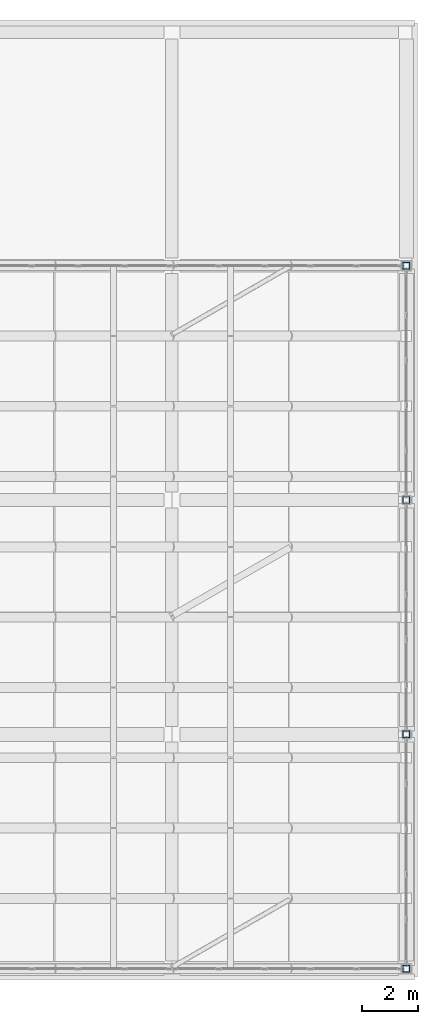
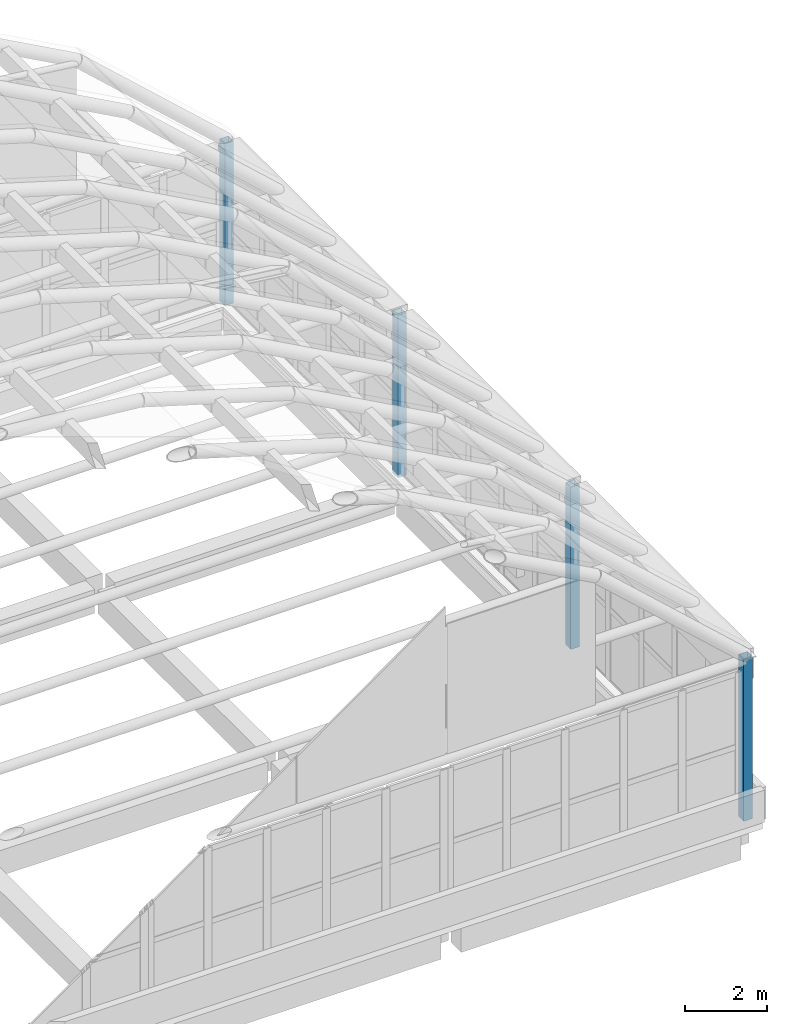
# One storey, part 2 of 26: 4 columns.
"""IFC4 building model written with IfcOpenShell, lengths in metres."""

import ifcopenshell
import ifcopenshell.guid

model = None  # the IFC model being written
_history = None  # IfcOwnerHistory: only IFC2X3 demands one
_inside = {}  # id of a spatial element -> (the spatial element, [elements in it])
_under = {}  # id of a project, library or spatial element -> (it, [spatial elements below it])
_declared = {}  # id of a project -> (the project, [libraries it declares])
_typed = {}  # id of a type object -> (the type object, [elements of that type])
_made_of = {}  # id of a material, layer set ... -> (it, [elements and type objects made of it])


def new_model(schema):
    """Start an empty IFC model of exactly this schema.

    Asked for "IFC4X3", IfcOpenShell would pick the latest addendum, in which some entities
    have other attributes; the version numbers below select the first issue.
    IFC2X3 requires an IfcOwnerHistory on every rooted entity: one is made here for all.
    """
    global model, _history
    if schema == "IFC4X3":
        model = ifcopenshell.file(schema_version=(4, 3, 0, 0))
    else:
        model = ifcopenshell.file(schema=schema)
    _inside.clear()
    _under.clear()
    _declared.clear()
    _typed.clear()
    _made_of.clear()
    _history = None
    if model.schema == "IFC2X3":
        org = make("IfcOrganization", Name="unknown")
        user = make(
            "IfcPersonAndOrganization",
            ThePerson=make("IfcPerson", FamilyName="unknown"),
            TheOrganization=org,
        )
        app = make(
            "IfcApplication",
            ApplicationDeveloper=org,
            Version="unknown",
            ApplicationFullName="unknown",
            ApplicationIdentifier="unknown",
        )
        _history = make(
            "IfcOwnerHistory",
            OwningUser=user,
            OwningApplication=app,
            ChangeAction="ADDED",
            CreationDate=0,
        )
    return model


def make(cls, **values):
    """One entity of the class cls with the attributes given. An attribute that is None is left unset."""
    return model.create_entity(
        cls, **{name: value for name, value in values.items() if value is not None}
    )


def rooted(cls, **values):
    """An entity with a GlobalId (a new one), such as an element, a storey or a relation."""
    return make(cls, GlobalId=ifcopenshell.guid.new(), OwnerHistory=_history, **values)


def si_unit(unit_type, name, prefix=None):
    """IfcSIUnit, for example si_unit("LENGTHUNIT", "METRE", prefix="MILLI")."""
    return make("IfcSIUnit", UnitType=unit_type, Prefix=prefix, Name=name)


def assignment(units):
    """IfcUnitAssignment: the units of a project."""
    return None if units is None else make("IfcUnitAssignment", Units=units)


def point(xyz):
    """IfcCartesianPoint."""
    return None if xyz is None else make("IfcCartesianPoint", Coordinates=xyz)


def direction(xyz):
    """IfcDirection."""
    return None if xyz is None else make("IfcDirection", DirectionRatios=xyz)


def frame(location, z_axis=None, x_axis=None):
    """IfcAxis2Placement3D, a coordinate frame: its origin and axes. An axis left out is left unset."""
    return make(
        "IfcAxis2Placement3D",
        Location=point(location),
        Axis=direction(z_axis),
        RefDirection=direction(x_axis),
    )


def frame_2d(location, x_axis=None):
    """IfcAxis2Placement2D, a coordinate frame in the plane: its origin and x axis."""
    return make(
        "IfcAxis2Placement2D", Location=point(location), RefDirection=direction(x_axis)
    )


def origin():
    """The frame at (0, 0, 0) with its axes left unset."""
    return frame((0.0, 0.0, 0.0))


def origin_2d():
    """The frame at (0, 0) in the plane with its x axis left unset."""
    return frame_2d((0.0, 0.0))


def place(relative_to, where):
    """IfcLocalPlacement: puts the frame where relative to a parent placement (None: the world)."""
    return make(
        "IfcLocalPlacement", PlacementRelTo=relative_to, RelativePlacement=where
    )


def context(
    kind, dimensions, precision=None, world=None, true_north=None, identifier=None
):
    """IfcGeometricRepresentationContext, for example the 3D "Model" context."""
    return make(
        "IfcGeometricRepresentationContext",
        ContextIdentifier=identifier,
        ContextType=kind,
        CoordinateSpaceDimension=dimensions,
        Precision=precision,
        WorldCoordinateSystem=world,
        TrueNorth=true_north,
    )


def subcontext(parent, identifier, kind, view, scale=None):
    """IfcGeometricRepresentationSubContext, for example "Body" below "Model"."""
    return make(
        "IfcGeometricRepresentationSubContext",
        ContextIdentifier=identifier,
        ContextType=kind,
        ParentContext=parent,
        TargetScale=scale,
        TargetView=view,
    )


def project(units=None, contexts=None):
    """IfcProject with its units and contexts."""
    return rooted(
        "IfcProject",
        Name="project",
        RepresentationContexts=contexts,
        UnitsInContext=assignment(units),
    )


def spatial(cls, under=None, at=None, **own):
    """A site, building, storey or space (cls), placed at a placement, below another one or the project."""
    s = rooted(cls, ObjectPlacement=at, **own)
    if under is not None:
        _under.setdefault(under.id(), (under, []))[1].append(s)
    return s


def profile(cls, at=None, kind="AREA", **sizes):
    """A parametric profile (cls). Its sizes go by their IFC names, for example OverallWidth=200.0."""
    return make(cls, ProfileType=kind, Position=at, **sizes)


def hollow_rectangle(**sizes):
    """IfcRectangleHollowProfileDef."""
    return profile("IfcRectangleHollowProfileDef", **sizes)


def extrude(swept, where, along, depth):
    """IfcExtrudedAreaSolid: the profile swept, set in the frame where, extruded along a direction by depth."""
    return make(
        "IfcExtrudedAreaSolid",
        SweptArea=swept,
        Position=where,
        ExtrudedDirection=direction(along),
        Depth=depth,
    )


def shape(context_of_items, identifier, shape_type, items):
    """IfcShapeRepresentation: the items that make up one representation, for example the "Body"."""
    return make(
        "IfcShapeRepresentation",
        ContextOfItems=context_of_items,
        RepresentationIdentifier=identifier,
        RepresentationType=shape_type,
        Items=items,
    )


def material(Name=None, Category=None):
    """IfcMaterial."""
    return make("IfcMaterial", Name=Name, Category=Category)


def material_profile(
    of_material, cross_section, Name=None, Category=None, Priority=None
):
    """IfcMaterialProfile: a cross section and its material."""
    return make(
        "IfcMaterialProfile",
        Name=Name,
        Material=of_material,
        Profile=cross_section,
        Priority=Priority,
        Category=Category,
    )


def profile_set(profiles, Name=None, composite=None):
    """IfcMaterialProfileSet."""
    return make(
        "IfcMaterialProfileSet",
        Name=Name,
        MaterialProfiles=profiles,
        CompositeProfile=composite,
    )


def made_of(thing, what):
    """Note that an element or type object is made of a material, layer set ...; save() writes the relation."""
    if what is not None:
        _made_of.setdefault(what.id(), (what, []))[1].append(thing)
    return thing


def type_object(cls, material=None, **own):
    """A type object (cls), such as IfcWallType, which elements share."""
    return made_of(rooted(cls, **own), material)


def element(
    cls,
    number,
    at=None,
    inside=None,
    cuts=None,
    type_object=None,
    material=None,
    context=None,
    identifier="Body",
    shape_type=None,
    held_by="IfcProductDefinitionShape",
    body=None,
    shapes=None,
    **own,
):
    """One element of the class cls, such as IfcWall. Its Tag is "e" and its number.

    at: its placement. inside: the storey or other place that contains it. cuts: it is an
    opening in that element (IfcRelVoidsElement). A single representation is given by context,
    identifier, shape_type and body (its items); several are given by shapes. held_by: the class
    of the entity that holds the representations. save() writes the other relations.
    """
    e = rooted(cls, Tag="e%d" % number, ObjectPlacement=at, **own)
    if body is not None:
        shapes = [shape(context, identifier, shape_type, body)]
    if shapes is not None:
        e.Representation = make(held_by, Representations=shapes)
    if inside is not None:
        _inside.setdefault(inside.id(), (inside, []))[1].append(e)
    if cuts is not None:
        rooted(
            "IfcRelVoidsElement", RelatingBuildingElement=cuts, RelatedOpeningElement=e
        )
    if type_object is not None:
        _typed.setdefault(type_object.id(), (type_object, []))[1].append(e)
    return made_of(e, material)


def aggregate(whole, parts):
    """IfcRelAggregates: a whole, such as a stair, and the parts it consists of."""
    return rooted("IfcRelAggregates", RelatingObject=whole, RelatedObjects=parts)


def save(model, path):
    """Write the relations noted so far, then the file.

    IfcRelAggregates (storeys below a building ...), IfcRelContainedInSpatialStructure (elements
    in a storey), IfcRelDefinesByType, IfcRelAssociatesMaterial and IfcRelDeclares: one each for
    every whole, place, type object, material and project.
    """
    for whole, parts in _under.values():
        aggregate(whole, parts)
    for where, things in _inside.values():
        rooted(
            "IfcRelContainedInSpatialStructure",
            RelatedElements=things,
            RelatingStructure=where,
        )
    for kind, things in _typed.values():
        rooted("IfcRelDefinesByType", RelatedObjects=things, RelatingType=kind)
    for what, things in _made_of.values():
        rooted("IfcRelAssociatesMaterial", RelatedObjects=things, RelatingMaterial=what)
    for by, libraries in _declared.values():
        rooted("IfcRelDeclares", RelatingContext=by, RelatedDefinitions=libraries)
    model.write(path)


model = new_model("IFC4")

# Units and contexts
model_context = context("Model", 3, precision=1e-05, world=origin(), true_north=direction((0.0, 1.0)))
body_context = subcontext(model_context, "Body", "Model", "MODEL_VIEW")
ifc_project = project(units=[si_unit("LENGTHUNIT", "METRE"), si_unit("AREAUNIT", "SQUARE_METRE"), si_unit("VOLUMEUNIT", "CUBIC_METRE"), si_unit("PLANEANGLEUNIT", "RADIAN"), si_unit("MASSUNIT", "GRAM", prefix="KILO")], contexts=[model_context])

# Site, building, storey
site_placement = place(None, origin())
site = spatial("IfcSite", under=ifc_project, at=site_placement, CompositionType="ELEMENT")
building_placement = place(site_placement, origin())
building = spatial("IfcBuilding", under=site, at=building_placement, Name="Xazarin Passage Department Store", CompositionType="ELEMENT")
storey_placement = place(building_placement, frame((0.0, 0.0, 36.89990234375)))
storey = spatial("IfcBuildingStorey", under=building, at=storey_placement, Name="RF", CompositionType="ELEMENT", Elevation=36.89990234375)

# Columns
ifc_material = material(Name="Steel S355", Category="steel")
ifc_material_profile = material_profile(ifc_material, hollow_rectangle(XDim=0.25, YDim=0.25, WallThickness=0.012451171875, at=origin_2d()), Name="SHS 250x250x12.5")
ifc_profile_set = profile_set([ifc_material_profile], Name="Steel S355")
column_type = type_object("IfcColumnType", Name="STR-COL-DRM250", PredefinedType="COLUMN", material=ifc_profile_set)
for number, where, z_axis, x_axis, name in (
    (1, (33.60009765625, 76.39990234375, 0.0), (0.0, 0.0, 1.0), (1.0, 0.0, 0.0), "V1V Gridshell Drum Column E-1"),
    (2, (33.60009765625, 84.800048828125, 0.0), (0.0, 0.0, 1.0), (1.0, 0.0, 0.0), "V1V Gridshell Drum Column E-2"),
    (3, (33.60009765625, 93.199951171875, 0.0), (0.0, 0.0, 1.0), (1.0, 0.0, 0.0), "V1V Gridshell Drum Column E-3"),
    (4, (33.60009765625, 101.60009765625, 0.0), (0.0, 0.0, 1.0), (1.0, 0.0, 0.0), "V1V Gridshell Drum Column E-4"),
):
    element("IfcColumn", number, at=place(storey_placement, frame(where, z_axis=z_axis, x_axis=x_axis)), inside=storey, type_object=column_type, Name=name, PredefinedType="COLUMN", context=body_context, shape_type="SweptSolid", body=[
        extrude(hollow_rectangle(XDim=0.25, YDim=0.25, WallThickness=0.012451171875, at=origin_2d()), origin(), (0.0, 0.0, 1.0), 4.80419921875),
    ])

save(model, "model.ifc")
